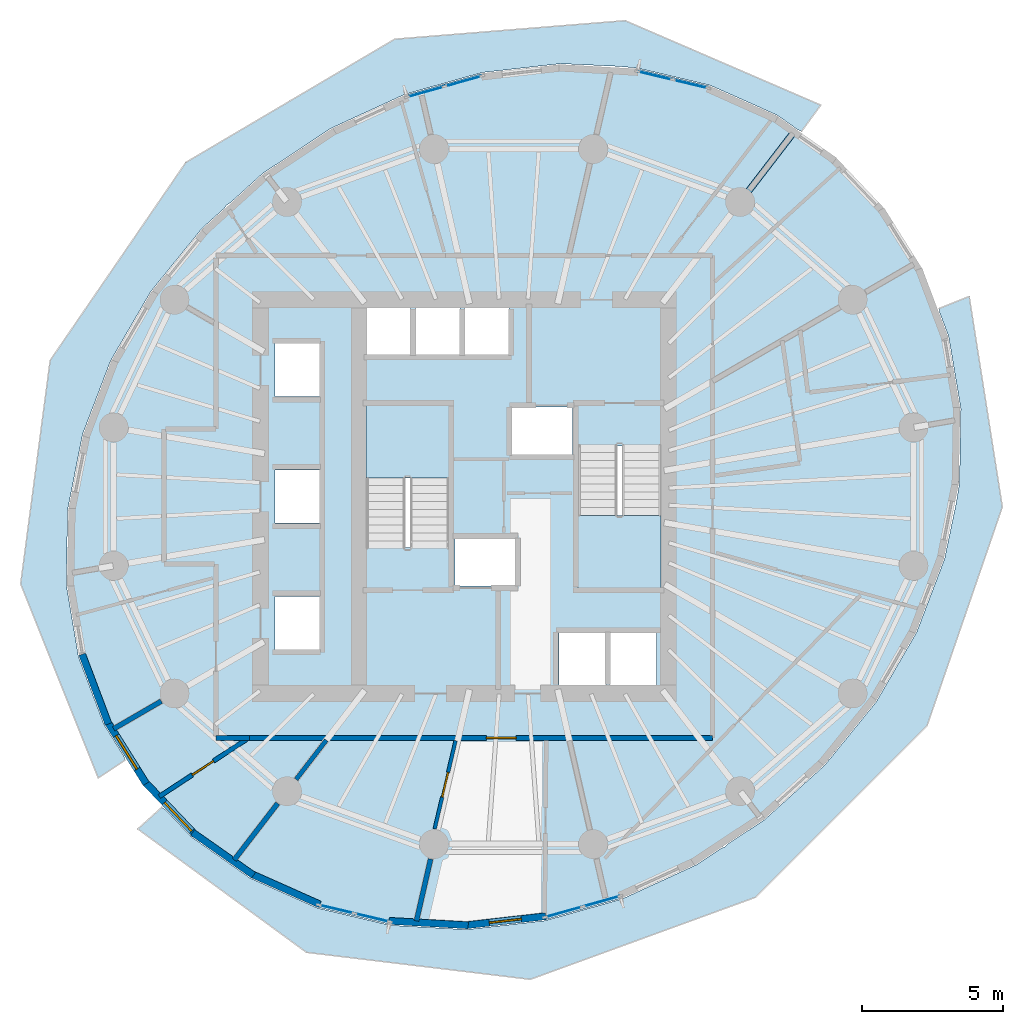
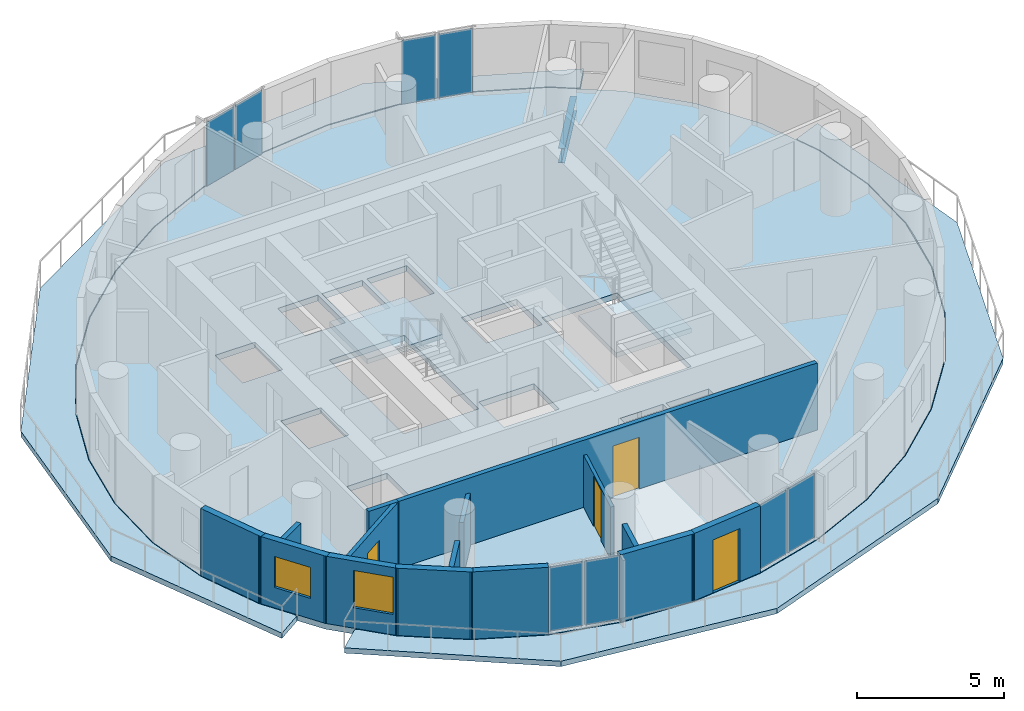
# One storey, part 4 of 13: 15 walls, 8 plates, 5 slabs, 4 doors, 2 windows, 1 beam, 6 openings, 6 elements without a shape of their own.
"""IFC4 building model written with IfcOpenShell, lengths in metres."""

import ifcopenshell
import ifcopenshell.guid

model = None  # the IFC model being written
_history = None  # IfcOwnerHistory: only IFC2X3 demands one
_inside = {}  # id of a spatial element -> (the spatial element, [elements in it])
_under = {}  # id of a project, library or spatial element -> (it, [spatial elements below it])
_declared = {}  # id of a project -> (the project, [libraries it declares])
_typed = {}  # id of a type object -> (the type object, [elements of that type])
_made_of = {}  # id of a material, layer set ... -> (it, [elements and type objects made of it])


def new_model(schema):
    """Start an empty IFC model of exactly this schema.

    Asked for "IFC4X3", IfcOpenShell would pick the latest addendum, in which some entities
    have other attributes; the version numbers below select the first issue.
    IFC2X3 requires an IfcOwnerHistory on every rooted entity: one is made here for all.
    """
    global model, _history
    if schema == "IFC4X3":
        model = ifcopenshell.file(schema_version=(4, 3, 0, 0))
    else:
        model = ifcopenshell.file(schema=schema)
    _inside.clear()
    _under.clear()
    _declared.clear()
    _typed.clear()
    _made_of.clear()
    _history = None
    if model.schema == "IFC2X3":
        org = make("IfcOrganization", Name="unknown")
        user = make(
            "IfcPersonAndOrganization",
            ThePerson=make("IfcPerson", FamilyName="unknown"),
            TheOrganization=org,
        )
        app = make(
            "IfcApplication",
            ApplicationDeveloper=org,
            Version="unknown",
            ApplicationFullName="unknown",
            ApplicationIdentifier="unknown",
        )
        _history = make(
            "IfcOwnerHistory",
            OwningUser=user,
            OwningApplication=app,
            ChangeAction="ADDED",
            CreationDate=0,
        )
    return model


def make(cls, **values):
    """One entity of the class cls with the attributes given. An attribute that is None is left unset."""
    return model.create_entity(
        cls, **{name: value for name, value in values.items() if value is not None}
    )


def rooted(cls, **values):
    """An entity with a GlobalId (a new one), such as an element, a storey or a relation."""
    return make(cls, GlobalId=ifcopenshell.guid.new(), OwnerHistory=_history, **values)


def si_unit(unit_type, name, prefix=None):
    """IfcSIUnit, for example si_unit("LENGTHUNIT", "METRE", prefix="MILLI")."""
    return make("IfcSIUnit", UnitType=unit_type, Prefix=prefix, Name=name)


def assignment(units):
    """IfcUnitAssignment: the units of a project."""
    return None if units is None else make("IfcUnitAssignment", Units=units)


def point(xyz):
    """IfcCartesianPoint."""
    return None if xyz is None else make("IfcCartesianPoint", Coordinates=xyz)


def direction(xyz):
    """IfcDirection."""
    return None if xyz is None else make("IfcDirection", DirectionRatios=xyz)


def frame(location, z_axis=None, x_axis=None):
    """IfcAxis2Placement3D, a coordinate frame: its origin and axes. An axis left out is left unset."""
    return make(
        "IfcAxis2Placement3D",
        Location=point(location),
        Axis=direction(z_axis),
        RefDirection=direction(x_axis),
    )


def frame_2d(location, x_axis=None):
    """IfcAxis2Placement2D, a coordinate frame in the plane: its origin and x axis."""
    return make(
        "IfcAxis2Placement2D", Location=point(location), RefDirection=direction(x_axis)
    )


def origin():
    """The frame at (0, 0, 0) with its axes left unset."""
    return frame((0.0, 0.0, 0.0))


def origin_2d():
    """The frame at (0, 0) in the plane with its x axis left unset."""
    return frame_2d((0.0, 0.0))


def place(relative_to, where):
    """IfcLocalPlacement: puts the frame where relative to a parent placement (None: the world)."""
    return make(
        "IfcLocalPlacement", PlacementRelTo=relative_to, RelativePlacement=where
    )


def context(
    kind, dimensions, precision=None, world=None, true_north=None, identifier=None
):
    """IfcGeometricRepresentationContext, for example the 3D "Model" context."""
    return make(
        "IfcGeometricRepresentationContext",
        ContextIdentifier=identifier,
        ContextType=kind,
        CoordinateSpaceDimension=dimensions,
        Precision=precision,
        WorldCoordinateSystem=world,
        TrueNorth=true_north,
    )


def subcontext(parent, identifier, kind, view, scale=None):
    """IfcGeometricRepresentationSubContext, for example "Body" below "Model"."""
    return make(
        "IfcGeometricRepresentationSubContext",
        ContextIdentifier=identifier,
        ContextType=kind,
        ParentContext=parent,
        TargetScale=scale,
        TargetView=view,
    )


def project(units=None, contexts=None):
    """IfcProject with its units and contexts."""
    return rooted(
        "IfcProject",
        Name="project",
        RepresentationContexts=contexts,
        UnitsInContext=assignment(units),
    )


def spatial(cls, under=None, at=None, **own):
    """A site, building, storey or space (cls), placed at a placement, below another one or the project."""
    s = rooted(cls, ObjectPlacement=at, **own)
    if under is not None:
        _under.setdefault(under.id(), (under, []))[1].append(s)
    return s


def polyline(points):
    """IfcPolyline through the points."""
    return make("IfcPolyline", Points=[point(p) for p in points])


def profile(cls, at=None, kind="AREA", **sizes):
    """A parametric profile (cls). Its sizes go by their IFC names, for example OverallWidth=200.0."""
    return make(cls, ProfileType=kind, Position=at, **sizes)


def rectangle(**sizes):
    """IfcRectangleProfileDef."""
    return profile("IfcRectangleProfileDef", **sizes)


def i_section(**sizes):
    """IfcIShapeProfileDef."""
    return profile("IfcIShapeProfileDef", **sizes)


def outline(outer, holes=None, kind="AREA"):
    """IfcArbitraryClosedProfileDef: a profile drawn as a closed curve; with holes, ...WithVoids."""
    if holes is None:
        return make("IfcArbitraryClosedProfileDef", ProfileType=kind, OuterCurve=outer)
    return make(
        "IfcArbitraryProfileDefWithVoids",
        ProfileType=kind,
        OuterCurve=outer,
        InnerCurves=holes,
    )


def extrude(swept, where, along, depth):
    """IfcExtrudedAreaSolid: the profile swept, set in the frame where, extruded along a direction by depth."""
    return make(
        "IfcExtrudedAreaSolid",
        SweptArea=swept,
        Position=where,
        ExtrudedDirection=direction(along),
        Depth=depth,
    )


def shape(context_of_items, identifier, shape_type, items):
    """IfcShapeRepresentation: the items that make up one representation, for example the "Body"."""
    return make(
        "IfcShapeRepresentation",
        ContextOfItems=context_of_items,
        RepresentationIdentifier=identifier,
        RepresentationType=shape_type,
        Items=items,
    )


def material(Name=None, Category=None):
    """IfcMaterial."""
    return make("IfcMaterial", Name=Name, Category=Category)


def layer(
    of_material, thickness, ventilated=None, Name=None, Category=None, Priority=None
):
    """IfcMaterialLayer: one layer of a wall or slab, of a material (None: an air gap)."""
    return make(
        "IfcMaterialLayer",
        Material=of_material,
        LayerThickness=thickness,
        IsVentilated=ventilated,
        Name=Name,
        Category=Category,
        Priority=Priority,
    )


def layer_set(layers, Name=None):
    """IfcMaterialLayerSet."""
    return make("IfcMaterialLayerSet", MaterialLayers=layers, LayerSetName=Name)


def material_profile(
    of_material, cross_section, Name=None, Category=None, Priority=None
):
    """IfcMaterialProfile: a cross section and its material."""
    return make(
        "IfcMaterialProfile",
        Name=Name,
        Material=of_material,
        Profile=cross_section,
        Priority=Priority,
        Category=Category,
    )


def profile_set(profiles, Name=None, composite=None):
    """IfcMaterialProfileSet."""
    return make(
        "IfcMaterialProfileSet",
        Name=Name,
        MaterialProfiles=profiles,
        CompositeProfile=composite,
    )


def made_of(thing, what):
    """Note that an element or type object is made of a material, layer set ...; save() writes the relation."""
    if what is not None:
        _made_of.setdefault(what.id(), (what, []))[1].append(thing)
    return thing


def type_object(cls, material=None, **own):
    """A type object (cls), such as IfcWallType, which elements share."""
    return made_of(rooted(cls, **own), material)


def element(
    cls,
    number,
    at=None,
    inside=None,
    cuts=None,
    type_object=None,
    material=None,
    context=None,
    identifier="Body",
    shape_type=None,
    held_by="IfcProductDefinitionShape",
    body=None,
    shapes=None,
    **own,
):
    """One element of the class cls, such as IfcWall. Its Tag is "e" and its number.

    at: its placement. inside: the storey or other place that contains it. cuts: it is an
    opening in that element (IfcRelVoidsElement). A single representation is given by context,
    identifier, shape_type and body (its items); several are given by shapes. held_by: the class
    of the entity that holds the representations. save() writes the other relations.
    """
    e = rooted(cls, Tag="e%d" % number, ObjectPlacement=at, **own)
    if body is not None:
        shapes = [shape(context, identifier, shape_type, body)]
    if shapes is not None:
        e.Representation = make(held_by, Representations=shapes)
    if inside is not None:
        _inside.setdefault(inside.id(), (inside, []))[1].append(e)
    if cuts is not None:
        rooted(
            "IfcRelVoidsElement", RelatingBuildingElement=cuts, RelatedOpeningElement=e
        )
    if type_object is not None:
        _typed.setdefault(type_object.id(), (type_object, []))[1].append(e)
    return made_of(e, material)


def fill(opening, filler):
    """IfcRelFillsElement: the door or window that sits in an opening."""
    return rooted(
        "IfcRelFillsElement",
        RelatingOpeningElement=opening,
        RelatedBuildingElement=filler,
    )


def aggregate(whole, parts):
    """IfcRelAggregates: a whole, such as a stair, and the parts it consists of."""
    return rooted("IfcRelAggregates", RelatingObject=whole, RelatedObjects=parts)


def save(model, path):
    """Write the relations noted so far, then the file.

    IfcRelAggregates (storeys below a building ...), IfcRelContainedInSpatialStructure (elements
    in a storey), IfcRelDefinesByType, IfcRelAssociatesMaterial and IfcRelDeclares: one each for
    every whole, place, type object, material and project.
    """
    for whole, parts in _under.values():
        aggregate(whole, parts)
    for where, things in _inside.values():
        rooted(
            "IfcRelContainedInSpatialStructure",
            RelatedElements=things,
            RelatingStructure=where,
        )
    for kind, things in _typed.values():
        rooted("IfcRelDefinesByType", RelatedObjects=things, RelatingType=kind)
    for what, things in _made_of.values():
        rooted("IfcRelAssociatesMaterial", RelatedObjects=things, RelatingMaterial=what)
    for by, libraries in _declared.values():
        rooted("IfcRelDeclares", RelatingContext=by, RelatedDefinitions=libraries)
    model.write(path)


model = new_model("IFC4")

# Units and contexts
model_context = context("Model", 3, precision=1e-05, world=origin(), true_north=direction((0.0, 1.0)))
body_context = subcontext(model_context, "Body", "Model", "MODEL_VIEW")
ifc_project = project(units=[si_unit("LENGTHUNIT", "METRE"), si_unit("AREAUNIT", "SQUARE_METRE"), si_unit("VOLUMEUNIT", "CUBIC_METRE"), si_unit("PLANEANGLEUNIT", "RADIAN"), si_unit("MASSUNIT", "GRAM", prefix="KILO")], contexts=[model_context])

# Site, building, storey
site_placement = place(None, origin())
site = spatial("IfcSite", under=ifc_project, at=site_placement, CompositionType="ELEMENT")
building_placement = place(site_placement, origin())
building = spatial("IfcBuilding", under=site, at=building_placement, Name="Veldorim Arch Residences", CompositionType="ELEMENT")
storey_placement = place(building_placement, frame((0.0, 0.0, 155.360107421875)))
storey = spatial("IfcBuildingStorey", under=building, at=storey_placement, Name="L46", CompositionType="ELEMENT", Elevation=155.360107421875)

# Beam
ifc_material_1 = material(Name="Steel S355", Category="steel")
ifc_material_profile = material_profile(ifc_material_1, i_section(OverallWidth=0.22900390625, OverallDepth=0.6123046875, WebThickness=0.011962890625, FlangeThickness=0.01953125, at=origin_2d()), Name="UB610x229x125")
ifc_profile_set = profile_set([ifc_material_profile], Name="Steel S355")
beam_type = type_object("IfcBeamType", Name="Structural Steel Beam UB610x229x125", PredefinedType="BEAM", material=ifc_profile_set)
beam_placement = place(storey_placement, frame((40.068115234375, 34.492431640625, -0.546142578125), z_axis=(0.609575446364, 0.792728058789, 0.0), x_axis=(-0.792728058789, 0.609575446364, 0.0)))
element("IfcBeam", 1, at=beam_placement, inside=storey, type_object=beam_type, Name="L46 radial edge cantilever girder 03", PredefinedType="BEAM", context=body_context, shape_type="SweptSolid", body=[
    extrude(i_section(OverallWidth=0.22900390625, OverallDepth=0.6123046875, WebThickness=0.011962890625, FlangeThickness=0.01953125, at=origin_2d()), origin(), (0.0, 0.0, 1.0), 3.13916015625),
])

# Slabs
ifc_material_2 = material(Name="Concrete C40/50", Category="concrete")
ifc_layer_1 = layer(ifc_material_2, 0.219970703125, Name="Planted Crescent Cantilever Balcony Slab 220")
ifc_layer_set_1 = layer_set([ifc_layer_1], Name="Concrete C40/50")
slab_type_1 = type_object("IfcSlabType", Name="Planted Crescent Cantilever Balcony Slab 220", PredefinedType="FLOOR", material=ifc_layer_set_1)
slab_1_placement = place(storey_placement, frame((0.0, 0.0, -0.22021484375)))
element("IfcSlab", 2, at=slab_1_placement, inside=storey, type_object=slab_type_1, Name="L46 planted crescent balcony slab A", PredefinedType="FLOOR", context=body_context, shape_type="SweptSolid", body=[
    extrude(outline(polyline([(42.118408203125, 37.03759765625), (41.368408203125, 37.564208984375), (38.986083984375, 38.62451171875), (36.3916015625, 39.240478515625), (35.6923828125, 39.2998046875), (33.663818359375, 39.393310546875), (30.885986328125, 39.078369140625), (28.1416015625, 38.305419921875), (25.514892578125, 37.097900390625), (23.085205078125, 35.492919921875), (21.927001953125, 34.444580078125), (21.797119140625, 34.365478515625), (21.720703125, 34.2578125), (20.92626953125, 33.53857421875), (19.103515625, 31.294677734375), (17.672607421875, 28.8291015625), (16.676513671875, 26.216552734375), (16.146240234375, 23.53662109375), (16.09765625, 20.870361328125), (16.5322265625, 18.299072265625), (17.43701171875, 15.90087890625), (18.141845703125, 14.775390625), (18.187744140625, 14.6328125), (17.22998046875, 13.996337890625), (14.472412109375, 20.894775390625), (15.5224609375, 28.845703125), (20.346923828125, 35.884521484375), (27.773193359375, 40.266357421875), (35.96728515625, 40.92431640625), (42.922607421875, 37.92138671875), (42.242431640625, 36.993896484375), (42.118408203125, 37.03759765625)])), origin(), (0.0, 0.0, 1.0), 0.22021484375),
])
slab_2_placement = place(storey_placement, frame((0.0, 0.0, -0.22021484375)))
element("IfcSlab", 3, at=slab_2_placement, inside=storey, type_object=slab_type_1, Name="L46 planted crescent balcony slab B", PredefinedType="FLOOR", context=body_context, shape_type="SweptSolid", body=[
    extrude(outline(polyline([(19.618896484375, 12.871337890625), (20.53369140625, 11.90869140625), (22.631591796875, 10.435791015625), (25.013916015625, 9.37548828125), (27.6083984375, 8.759521484375), (30.336181640625, 8.606689453125), (33.114013671875, 8.921630859375), (35.8583984375, 9.694580078125), (38.485107421875, 10.902099609375), (39.379150390625, 11.49267578125), (39.50244140625, 11.539794921875), (39.611328125, 11.64599609375), (40.914794921875, 12.507080078125), (43.07373046875, 14.46142578125), (44.896484375, 16.705322265625), (46.327392578125, 19.1708984375), (47.323486328125, 21.783447265625), (47.737548828125, 23.771484375), (47.853759765625, 24.46337890625), (47.90234375, 27.129638671875), (47.4677734375, 29.700927734375), (47.144287109375, 30.55810546875), (47.1328125, 30.689208984375), (48.2001953125, 31.1171875), (49.37939453125, 23.6337890625), (46.7041015625, 15.860595703125), (40.613037109375, 9.757568359375), (32.595703125, 6.835205078125), (24.63330078125, 7.79541015625), (18.637451171875, 12.181640625), (19.491943359375, 12.951416015625), (19.618896484375, 12.871337890625)])), origin(), (0.0, 0.0, 1.0), 0.22021484375),
])

# Stair, slab
ifc_material_3 = material(Name="Concrete C40/50", Category="concrete")
stair_type = type_object("IfcStairType", Name="Reinforced Concrete Dogleg Exit Staircase", PredefinedType="HALF_TURN_STAIR", material=ifc_material_3)
stair_1_placement = place(storey_placement, origin())
stair_1 = element("IfcStair", 4, at=stair_1_placement, inside=storey, type_object=stair_type, Name="L46 Exit Staircase ST-1", PredefinedType="HALF_TURN_STAIR")
ifc_material_4 = material(Name="Concrete C40/50", Category="concrete")
ifc_layer_2 = layer(ifc_material_4, 0.199951171875, Name="Reinforced Concrete Stair Landing 200")
ifc_layer_set_2 = layer_set([ifc_layer_2], Name="Concrete C40/50")
slab_type_2 = type_object("IfcSlabType", Name="Reinforced Concrete Stair Landing 200", PredefinedType="LANDING", material=ifc_layer_set_2)
slab_3_placement = place(storey_placement, frame((0.0, 0.0, 1.39990234375)))
slab_3 = element("IfcSlab", 5, at=slab_3_placement, type_object=slab_type_2, Name="ST-1 landing 1", PredefinedType="LANDING", context=body_context, shape_type="SweptSolid", body=[
    extrude(outline(polyline([(29.7099609375, 24.669921875), (29.7099609375, 27.25), (26.75, 27.25), (26.75, 24.669921875), (29.7099609375, 24.669921875)])), origin(), (0.0, 0.0, 1.0), 0.199951171875),
])
aggregate(stair_1, [slab_3])

stair_2_placement = place(storey_placement, origin())
stair_2 = element("IfcStair", 6, at=stair_2_placement, inside=storey, type_object=stair_type, Name="L46 Exit Staircase ST-2", PredefinedType="HALF_TURN_STAIR")
slab_4_placement = place(storey_placement, frame((0.0, 0.0, 1.39990234375)))
slab_4 = element("IfcSlab", 7, at=slab_4_placement, type_object=slab_type_2, Name="ST-2 landing 1", PredefinedType="LANDING", context=body_context, shape_type="SweptSolid", body=[
    extrude(outline(polyline([(34.2900390625, 23.330078125), (34.2900390625, 20.75), (37.25, 20.75), (37.25, 23.330078125), (34.2900390625, 23.330078125)])), origin(), (0.0, 0.0, 1.0), 0.199951171875),
])
aggregate(stair_2, [slab_4])

# Slab
ifc_material_5 = material(Name="Concrete C40/50", Category="concrete")
ifc_layer_3 = layer(ifc_material_5, 0.239990234375, Name="Typical Residential Floor Slab 240")
ifc_layer_set_3 = layer_set([ifc_layer_3], Name="Concrete C40/50")
slab_type_3 = type_object("IfcSlabType", Name="Typical Residential Floor Slab 240", PredefinedType="FLOOR", material=ifc_layer_set_3)
slab_5_placement = place(storey_placement, frame((0.0, 0.0, -0.239990234375)))
element("IfcSlab", 8, at=slab_5_placement, inside=storey, type_object=slab_type_3, Name="L46 tower structural floor slab", PredefinedType="FLOOR", context=body_context, shape_type="SweptSolid", body=[
    extrude(outline(polyline([(45.195556640625, 34.235595703125), (43.44970703125, 36.072265625), (41.35595703125, 37.542236328125), (38.97802734375, 38.600830078125), (36.387939453125, 39.215576171875), (33.66455078125, 39.3681640625), (30.890625, 39.0537109375), (28.150390625, 38.281982421875), (25.527099609375, 37.076171875), (23.1005859375, 35.47314453125), (20.9443359375, 33.521484375), (19.1240234375, 31.280517578125), (17.695068359375, 28.818115234375), (16.70068359375, 26.209716796875), (16.171142578125, 23.533935546875), (16.12255859375, 20.872314453125), (16.556396484375, 18.3056640625), (17.45947265625, 15.912109375), (18.804443359375, 13.764404296875), (20.55029296875, 11.927734375), (22.64404296875, 10.457763671875), (25.02197265625, 9.399169921875), (27.612060546875, 8.784423828125), (30.33544921875, 8.6318359375), (33.109375, 8.9462890625), (35.849609375, 9.718017578125), (38.472900390625, 10.923828125), (40.8994140625, 12.52685546875), (43.0556640625, 14.478515625), (44.8759765625, 16.719482421875), (46.304931640625, 19.181884765625), (47.29931640625, 21.790283203125), (47.828857421875, 24.466064453125), (47.87744140625, 27.127685546875), (47.443603515625, 29.6943359375), (46.54052734375, 32.087890625), (45.195556640625, 34.235595703125)]), holes=[polyline([(23.510009765625, 18.56005859375), (23.510009765625, 20.43994140625), (25.090087890625, 20.43994140625), (25.090087890625, 18.56005859375), (23.510009765625, 18.56005859375)]), polyline([(23.510009765625, 24.93994140625), (25.090087890625, 24.93994140625), (25.090087890625, 23.06005859375), (23.510009765625, 23.06005859375), (23.510009765625, 24.93994140625)]), polyline([(26.75, 27.25), (29.7099609375, 27.25), (29.7099609375, 22.195068359375), (26.75, 22.195068359375), (26.75, 27.25)]), polyline([(23.510009765625, 27.56005859375), (23.510009765625, 29.43994140625), (25.090087890625, 29.43994140625), (25.090087890625, 27.56005859375), (23.510009765625, 27.56005859375)]), polyline([(26.760009765625, 30.7900390625), (28.340087890625, 30.7900390625), (28.340087890625, 28.909912109375), (26.760009765625, 28.909912109375), (26.760009765625, 30.7900390625)]), polyline([(28.510009765625, 30.7900390625), (30.090087890625, 30.7900390625), (30.090087890625, 28.909912109375), (28.510009765625, 28.909912109375), (28.510009765625, 30.7900390625)]), polyline([(33.610107421875, 17.2099609375), (33.610107421875, 19.2900390625), (35.2900390625, 19.2900390625), (35.2900390625, 17.2099609375), (33.610107421875, 17.2099609375)]), polyline([(35.409912109375, 19.2900390625), (37.090087890625, 19.2900390625), (37.090087890625, 17.2099609375), (35.409912109375, 17.2099609375), (35.409912109375, 19.2900390625)]), polyline([(29.909912109375, 22.544921875), (32.090087890625, 22.544921875), (32.090087890625, 20.81494140625), (29.909912109375, 20.81494140625), (29.909912109375, 22.544921875)]), polyline([(34.2900390625, 20.75), (34.2900390625, 25.804931640625), (37.25, 25.804931640625), (37.25, 20.75), (34.2900390625, 20.75)]), polyline([(31.909912109375, 27.18505859375), (34.090087890625, 27.18505859375), (34.090087890625, 25.455078125), (31.909912109375, 25.455078125), (31.909912109375, 27.18505859375)]), polyline([(30.260009765625, 30.7900390625), (31.840087890625, 30.7900390625), (31.840087890625, 28.909912109375), (30.260009765625, 28.909912109375), (30.260009765625, 30.7900390625)])]), origin(), (0.0, 0.0, 1.0), 0.239990234375),
])

# Curtain wall, plates
ifc_material_6 = material(Name="Aluminium", Category="aluminium")
curtain_wall_type = type_object("IfcCurtainWallType", Name="Zone 3 High-Wind Unitised Curtain Wall", PredefinedType="NOTDEFINED", material=ifc_material_6)
curtain_wall_1_placement = place(storey_placement, origin())
curtain_wall_1 = element("IfcCurtainWall", 9, at=curtain_wall_1_placement, inside=storey, type_object=curtain_wall_type, Name="L46 unitised curtain wall bay 04", PredefinedType="NOTDEFINED")
ifc_material_7 = material(Name="Laminated Low-E Glass", Category="glass")
ifc_layer_4 = layer(ifc_material_7, 0.028076171875, Name="Zone 3 High-Wind Unitised Curtain Wall Glazing Panel 28")
ifc_layer_set_4 = layer_set([ifc_layer_4], Name="Laminated Low-E Glass")
plate_type = type_object("IfcPlateType", Name="Zone 3 High-Wind Unitised Curtain Wall Glazing Panel 28", PredefinedType="CURTAIN_PANEL", material=ifc_layer_set_4)
plate_1_placement = place(storey_placement, frame((37.03173828125, 38.97021484375, 0.06982421875), z_axis=(0.0, 0.0, 1.0), x_axis=(0.972963992002, -0.230956858022, 0.0)))
plate_1 = element("IfcPlate", 10, at=plate_1_placement, type_object=plate_type, Name="CW-Z3 panel 1.1", PredefinedType="CURTAIN_PANEL", context=body_context, shape_type="SweptSolid", body=[
    extrude(rectangle(XDim=1.22607421875, YDim=0.028076171875, at=origin_2d()), origin(), (0.0, 0.0, 1.0), 2.659912109375),
])
plate_2_placement = place(storey_placement, frame((38.292724609375, 38.6708984375, 0.06982421875), z_axis=(0.0, 0.0, 1.0), x_axis=(0.972963992002, -0.230956858022, 0.0)))
plate_2 = element("IfcPlate", 11, at=plate_2_placement, type_object=plate_type, Name="CW-Z3 panel 2.1", PredefinedType="CURTAIN_PANEL", context=body_context, shape_type="SweptSolid", body=[
    extrude(rectangle(XDim=1.22607421875, YDim=0.028076171875, at=origin_2d()), origin(), (0.0, 0.0, 1.0), 2.659912109375),
])
aggregate(curtain_wall_1, [plate_1, plate_2])

curtain_wall_2_placement = place(storey_placement, origin())
curtain_wall_2 = element("IfcCurtainWall", 12, at=curtain_wall_2_placement, inside=storey, type_object=curtain_wall_type, Name="L46 unitised curtain wall bay 07", PredefinedType="NOTDEFINED")
plate_3_placement = place(storey_placement, frame((28.876708984375, 38.39306640625, 0.06982421875), z_axis=(0.0, 0.0, 1.0), x_axis=(0.962551028545, 0.271100567037, 0.0)))
plate_3 = element("IfcPlate", 13, at=plate_3_placement, type_object=plate_type, Name="CW-Z3 panel 1.1", PredefinedType="CURTAIN_PANEL", context=body_context, shape_type="SweptSolid", body=[
    extrude(rectangle(XDim=1.318359375, YDim=0.028076171875, at=origin_2d()), origin(), (0.0, 0.0, 1.0), 2.659912109375),
])
plate_4_placement = place(storey_placement, frame((30.213134765625, 38.769287109375, 0.06982421875), z_axis=(0.0, 0.0, 1.0), x_axis=(0.962551028545, 0.271100567037, 0.0)))
plate_4 = element("IfcPlate", 14, at=plate_4_placement, type_object=plate_type, Name="CW-Z3 panel 2.1", PredefinedType="CURTAIN_PANEL", context=body_context, shape_type="SweptSolid", body=[
    extrude(rectangle(XDim=1.318359375, YDim=0.028076171875, at=origin_2d()), origin(), (0.0, 0.0, 1.0), 2.659912109375),
])
aggregate(curtain_wall_2, [plate_3, plate_4])

curtain_wall_3_placement = place(storey_placement, origin())
curtain_wall_3 = element("IfcCurtainWall", 15, at=curtain_wall_3_placement, inside=storey, type_object=curtain_wall_type, Name="L46 unitised curtain wall bay 22", PredefinedType="NOTDEFINED")
plate_5_placement = place(storey_placement, frame((26.96826171875, 9.02978515625, 0.06982421875), z_axis=(0.0, 0.0, 1.0), x_axis=(-0.972963992002, 0.230956858022, 0.0)))
plate_5 = element("IfcPlate", 16, at=plate_5_placement, type_object=plate_type, Name="CW-Z3 panel 1.1", PredefinedType="CURTAIN_PANEL", context=body_context, shape_type="SweptSolid", body=[
    extrude(rectangle(XDim=1.22607421875, YDim=0.028076171875, at=origin_2d()), origin(), (0.0, 0.0, 1.0), 2.659912109375),
])
plate_6_placement = place(storey_placement, frame((25.707275390625, 9.3291015625, 0.06982421875), z_axis=(0.0, 0.0, 1.0), x_axis=(-0.972963992002, 0.230956858022, 0.0)))
plate_6 = element("IfcPlate", 17, at=plate_6_placement, type_object=plate_type, Name="CW-Z3 panel 2.1", PredefinedType="CURTAIN_PANEL", context=body_context, shape_type="SweptSolid", body=[
    extrude(rectangle(XDim=1.22607421875, YDim=0.028076171875, at=origin_2d()), origin(), (0.0, 0.0, 1.0), 2.659912109375),
])
aggregate(curtain_wall_3, [plate_5, plate_6])

curtain_wall_4_placement = place(storey_placement, origin())
curtain_wall_4 = element("IfcCurtainWall", 18, at=curtain_wall_4_placement, inside=storey, type_object=curtain_wall_type, Name="L46 unitised curtain wall bay 25", PredefinedType="NOTDEFINED")
plate_7_placement = place(storey_placement, frame((35.123291015625, 9.60693359375, 0.06982421875), z_axis=(0.0, 0.0, 1.0), x_axis=(-0.962551028545, -0.271100567037, 0.0)))
plate_7 = element("IfcPlate", 19, at=plate_7_placement, type_object=plate_type, Name="CW-Z3 panel 1.1", PredefinedType="CURTAIN_PANEL", context=body_context, shape_type="SweptSolid", body=[
    extrude(rectangle(XDim=1.318359375, YDim=0.028076171875, at=origin_2d()), origin(), (0.0, 0.0, 1.0), 2.659912109375),
])
plate_8_placement = place(storey_placement, frame((33.786865234375, 9.230712890625, 0.06982421875), z_axis=(0.0, 0.0, 1.0), x_axis=(-0.962551028545, -0.271100567037, 0.0)))
plate_8 = element("IfcPlate", 20, at=plate_8_placement, type_object=plate_type, Name="CW-Z3 panel 2.1", PredefinedType="CURTAIN_PANEL", context=body_context, shape_type="SweptSolid", body=[
    extrude(rectangle(XDim=1.318359375, YDim=0.028076171875, at=origin_2d()), origin(), (0.0, 0.0, 1.0), 2.659912109375),
])
aggregate(curtain_wall_4, [plate_7, plate_8])

# Wall, opening, door
ifc_material_8 = material(Name="Acoustic Gypsum Board", Category="gypsum")
ifc_layer_5 = layer(ifc_material_8, 0.125, Name="Acoustic Stud Room Partition Wall 125")
ifc_layer_set_5 = layer_set([ifc_layer_5], Name="Acoustic Gypsum Board")
wall_type_1 = type_object("IfcWallType", Name="Acoustic Stud Room Partition Wall 125", PredefinedType="PARTITIONING", material=ifc_layer_set_5)
wall_1_placement = place(storey_placement, frame((29.195556640625, 12.18701171875, 0.0), z_axis=(0.0, 0.0, 1.0), x_axis=(0.230968453673, 0.972961239417, 0.0)))
wall_1 = element("IfcWall", 21, at=wall_1_placement, inside=storey, type_object=wall_type_1, Name="L46 interior wall WL-RES-L46-012", PredefinedType="PARTITIONING", context=body_context, shape_type="SweptSolid", body=[
    extrude(rectangle(XDim=3.222900390625, YDim=0.125, at=frame_2d((1.611328125, 0.0))), origin(), (0.0, 0.0, 1.0), 2.17578125),
])
opening_1_placement = place(wall_1_placement, frame((1.161376953125, 0.0, 0.0)))
opening_1 = element("IfcOpeningElement", 22, at=opening_1_placement, cuts=wall_1, Name="Opening DR-INT", PredefinedType="OPENING", context=body_context, shape_type="SweptSolid", body=[
    extrude(rectangle(XDim=0.89990234375, YDim=2.10009765625, at=frame_2d((0.449951171875, 1.050048828125))), frame((0.0, 0.072509765625, 0.0), z_axis=(0.0, -1.0, 0.0), x_axis=(1.0, 0.0, 0.0)), (0.0, 0.0, 1.0), 0.14501953125),
])
ifc_material_9 = material(Name="Engineered Timber", Category="wood")
door_type_1 = type_object("IfcDoorType", Name="Apartment Internal Room Timber Door 900x2100", OperationType="SINGLE_SWING_LEFT", PredefinedType="DOOR", material=ifc_material_9)
door_1_placement = place(opening_1_placement, origin())
door_1 = element("IfcDoor", 23, at=door_1_placement, inside=storey, type_object=door_type_1, Name="L46 interior door DR-RES-L46-003", OperationType="SINGLE_SWING_LEFT", OverallHeight=2.10009765625, OverallWidth=0.89990234375, PredefinedType="DOOR", context=body_context, shape_type="SweptSolid", body=[
    extrude(rectangle(XDim=0.89990234375, YDim=2.10009765625, at=frame_2d((0.449951171875, 1.050048828125))), frame((0.0, 0.02490234375, 0.0), z_axis=(0.0, -1.0, 0.0), x_axis=(1.0, 0.0, 0.0)), (0.0, 0.0, 1.0), 0.050048828125),
])
fill(opening_1, door_1)

# Walls
ifc_material_10 = material(Name="Lightweight Masonry Block & Gypsum", Category="masonry")
ifc_layer_6 = layer(ifc_material_10, 0.179931640625, Name="Compartment & Corridor Fire-Rated Party Wall 180")
ifc_layer_set_6 = layer_set([ifc_layer_6], Name="Lightweight Masonry Block & Gypsum")
wall_type_2 = type_object("IfcWallType", Name="Compartment & Corridor Fire-Rated Party Wall 180", PredefinedType="PARTITIONING", material=ifc_layer_set_6)
wall_2_placement = place(storey_placement, frame((19.472412109375, 16.72607421875, 0.0), z_axis=(0.0, 0.0, 1.0), x_axis=(-0.864794183852, -0.502126497584, 0.0)))
element("IfcWall", 24, at=wall_2_placement, inside=storey, type_object=wall_type_2, Name="L46 interior wall WL-PIER-L46-10", PredefinedType="PARTITIONING", context=body_context, shape_type="SweptSolid", body=[
    extrude(rectangle(XDim=1.958984375, YDim=0.179931640625, at=frame_2d((0.9794921875, 0.0))), origin(), (0.0, 0.0, 1.0), 2.17578125),
])
wall_3_placement = place(storey_placement, frame((23.612060546875, 13.091552734375, 0.0), z_axis=(0.0, 0.0, 1.0), x_axis=(-0.609529171404, -0.79276364019, 0.0)))
element("IfcWall", 25, at=wall_3_placement, inside=storey, type_object=wall_type_2, Name="L46 interior wall WL-PIER-L46-11", PredefinedType="PARTITIONING", context=body_context, shape_type="SweptSolid", body=[
    extrude(rectangle(XDim=2.5341796875, YDim=0.179931640625, at=frame_2d((1.26708984375, 0.0))), origin(), (0.0, 0.0, 1.0), 2.17578125),
])
wall_4_placement = place(storey_placement, frame((29.049560546875, 11.11083984375, 0.0), z_axis=(0.0, 0.0, 1.0), x_axis=(-0.223104026265, -0.974794641688, 0.0)))
element("IfcWall", 26, at=wall_4_placement, inside=storey, type_object=wall_type_2, Name="L46 interior wall WL-PIER-L46-12", PredefinedType="PARTITIONING", context=body_context, shape_type="SweptSolid", body=[
    extrude(rectangle(XDim=2.25537109375, YDim=0.179931640625, at=frame_2d((1.127685546875, 0.0))), origin(), (0.0, 0.0, 1.0), 2.17578125),
])

# Wall, opening, door
wall_5_placement = place(storey_placement, frame((39.080078125, 15.419921875, 0.0), z_axis=(0.0, 0.0, 1.0), x_axis=(-1.0, 0.0, 0.0)))
wall_5 = element("IfcWall", 27, at=wall_5_placement, inside=storey, type_object=wall_type_2, Name="L46 interior wall WL-RES-L46-001", PredefinedType="PARTITIONING", context=body_context, shape_type="SweptSolid", body=[
    extrude(rectangle(XDim=16.531005859375, YDim=0.179931640625, at=frame_2d((8.265625, 0.0))), origin(), (0.0, 0.0, 1.0), 2.794921875),
])
opening_2_placement = place(wall_5_placement, frame((6.993896484375, 0.0, 0.0)))
opening_2 = element("IfcOpeningElement", 28, at=opening_2_placement, cuts=wall_5, Name="Opening DR-FLT", PredefinedType="OPENING", context=body_context, shape_type="SweptSolid", body=[
    extrude(rectangle(XDim=1.050048828125, YDim=2.14990234375, at=frame_2d((0.52490234375, 1.074951171875))), frame((0.0, 0.099853515625, 0.0), z_axis=(0.0, -1.0, 0.0), x_axis=(1.0, 0.0, 0.0)), (0.0, 0.0, 1.0), 0.199951171875),
])
ifc_material_11 = material(Name="Fire-Rated Timber", Category="wood")
door_type_2 = type_object("IfcDoorType", Name="Apartment Entrance Solid-Core Fire Door 1050x2150", OperationType="SINGLE_SWING_LEFT", PredefinedType="DOOR", material=ifc_material_11)
door_2_placement = place(opening_2_placement, origin())
door_2 = element("IfcDoor", 29, at=door_2_placement, inside=storey, type_object=door_type_2, Name="L46 interior door DR-RES-L46-001", OperationType="SINGLE_SWING_LEFT", OverallHeight=2.14990234375, OverallWidth=1.050048828125, PredefinedType="DOOR", context=body_context, shape_type="SweptSolid", body=[
    extrude(rectangle(XDim=1.050048828125, YDim=2.14990234375, at=frame_2d((0.52490234375, 1.074951171875))), frame((0.0, 0.02490234375, 0.0), z_axis=(0.0, -1.0, 0.0), x_axis=(1.0, 0.0, 0.0)), (0.0, 0.0, 1.0), 0.050048828125),
])
fill(opening_2, door_2)

# Walls
wall_6_placement = place(storey_placement, frame((22.605712890625, 15.419921875, 0.0), z_axis=(0.0, 0.0, 1.0), x_axis=(-1.0, 0.0, 0.0)))
element("IfcWall", 30, at=wall_6_placement, inside=storey, type_object=wall_type_2, Name="L46 interior wall WL-RES-L46-006", PredefinedType="PARTITIONING", context=body_context, shape_type="SweptSolid", body=[
    extrude(rectangle(XDim=1.185791015625, YDim=0.179931640625, at=frame_2d((0.5927734375, 0.0))), origin(), (0.0, 0.0, 1.0), 2.794921875),
])
ifc_material_12 = material(Name="Precast concrete C40/50", Category="concrete")
ifc_layer_7 = layer(ifc_material_12, 0.25, Name="Tower Terracotta Spandrel & Pier Wall 250")
ifc_layer_set_7 = layer_set([ifc_layer_7], Name="Precast concrete C40/50")
wall_type_3 = type_object("IfcWallType", Name="Tower Terracotta Spandrel & Pier Wall 250", PredefinedType="SOLIDWALL", material=ifc_layer_set_7)
wall_7_placement = place(storey_placement, frame((17.59228515625, 15.914306640625, 0.0), z_axis=(0.0, 0.0, 1.0), x_axis=(-0.353022229402, 0.93561493444, 0.0)))
element("IfcWall", 31, at=wall_7_placement, inside=storey, type_object=wall_type_3, Name="L46 terracotta facade wall 17", PredefinedType="SOLIDWALL", context=body_context, shape_type="SweptSolid", body=[
    extrude(rectangle(XDim=2.64794921875, YDim=0.25, at=frame_2d((1.323974609375, 0.0))), origin(), (0.0, 0.0, 1.0), 2.7998046875),
])

# Wall, opening, window
wall_8_placement = place(storey_placement, frame((18.93408203125, 13.792724609375, 0.0), z_axis=(0.0, 0.0, 1.0), x_axis=(-0.530726374543, 0.847543223302, 0.0)))
wall_8 = element("IfcWall", 32, at=wall_8_placement, inside=storey, type_object=wall_type_3, Name="L46 terracotta facade wall 18", PredefinedType="SOLIDWALL", context=body_context, shape_type="SweptSolid", body=[
    extrude(rectangle(XDim=2.6240234375, YDim=0.25, at=frame_2d((1.31201171875, 0.0))), origin(), (0.0, 0.0, 1.0), 2.7998046875),
])
opening_3_placement = place(wall_8_placement, frame((0.612060546875, 0.0, 0.85009765625)))
opening_3 = element("IfcOpeningElement", 33, at=opening_3_placement, cuts=wall_8, Name="Opening WN-02", PredefinedType="OPENING", context=body_context, shape_type="SweptSolid", body=[
    extrude(rectangle(XDim=1.39990234375, YDim=1.2900390625, at=frame_2d((0.699951171875, 0.64501953125))), frame((0.0, 0.135009765625, 0.0), z_axis=(0.0, -1.0, 0.0), x_axis=(1.0, 0.0, 0.0)), (0.0, 0.0, 1.0), 0.27001953125),
])
ifc_material_13 = material(Name="Laminated Low-E Glass", Category="glass")
window_type = type_object("IfcWindowType", Name="Residential Casement Window 1400x1550", PartitioningType="SINGLE_PANEL", PredefinedType="WINDOW", material=ifc_material_13)
window_1_placement = place(opening_3_placement, origin())
window_1 = element("IfcWindow", 34, at=window_1_placement, inside=storey, type_object=window_type, Name="L46 solar-control facade window 18", OverallHeight=1.2900390625, OverallWidth=1.39990234375, PartitioningType="SINGLE_PANEL", PredefinedType="WINDOW", context=body_context, shape_type="SweptSolid", body=[
    extrude(rectangle(XDim=1.39990234375, YDim=1.2900390625, at=frame_2d((0.699951171875, 0.64501953125))), frame((0.0, 0.030029296875, 0.0), z_axis=(0.0, -1.0, 0.0), x_axis=(1.0, 0.0, 0.0)), (0.0, 0.0, 1.0), 0.06005859375),
])
fill(opening_3, window_1)

wall_9_placement = place(storey_placement, frame((20.671875, 11.981201171875, 0.0), z_axis=(0.0, 0.0, 1.0), x_axis=(-0.688923042016, 0.724834492957, 0.0)))
wall_9 = element("IfcWall", 35, at=wall_9_placement, inside=storey, type_object=wall_type_3, Name="L46 terracotta facade wall 19", PredefinedType="SOLIDWALL", context=body_context, shape_type="SweptSolid", body=[
    extrude(rectangle(XDim=2.624267578125, YDim=0.25, at=frame_2d((1.31201171875, 0.0))), origin(), (0.0, 0.0, 1.0), 2.7998046875),
])
opening_4_placement = place(wall_9_placement, frame((0.175048828125, 0.0, 0.85009765625)))
opening_4 = element("IfcOpeningElement", 36, at=opening_4_placement, cuts=wall_9, Name="Opening WN-02", PredefinedType="OPENING", context=body_context, shape_type="SweptSolid", body=[
    extrude(rectangle(XDim=1.39990234375, YDim=1.550048828125, at=frame_2d((0.699951171875, 0.77490234375))), frame((0.0, 0.135009765625, 0.0), z_axis=(0.0, -1.0, 0.0), x_axis=(1.0, 0.0, 0.0)), (0.0, 0.0, 1.0), 0.27001953125),
])
window_2_placement = place(opening_4_placement, origin())
window_2 = element("IfcWindow", 37, at=window_2_placement, inside=storey, type_object=window_type, Name="L46 solar-control facade window 19", OverallHeight=1.550048828125, OverallWidth=1.39990234375, PartitioningType="SINGLE_PANEL", PredefinedType="WINDOW", context=body_context, shape_type="SweptSolid", body=[
    extrude(rectangle(XDim=1.39990234375, YDim=1.550048828125, at=frame_2d((0.699951171875, 0.77490234375))), frame((0.0, 0.030029296875, 0.0), z_axis=(0.0, -1.0, 0.0), x_axis=(1.0, 0.0, 0.0)), (0.0, 0.0, 1.0), 0.06005859375),
])
fill(opening_4, window_2)

# Walls
wall_10_placement = place(storey_placement, frame((22.752685546875, 10.5341796875, 0.0), z_axis=(0.0, 0.0, 1.0), x_axis=(-0.818434239786, 0.574600204617, 0.0)))
element("IfcWall", 38, at=wall_10_placement, inside=storey, type_object=wall_type_3, Name="L46 terracotta facade wall 20", PredefinedType="SOLIDWALL", context=body_context, shape_type="SweptSolid", body=[
    extrude(rectangle(XDim=2.6484375, YDim=0.25, at=frame_2d((1.32421875, 0.0))), origin(), (0.0, 0.0, 1.0), 2.7998046875),
])
wall_11_placement = place(storey_placement, frame((25.114013671875, 9.4951171875, 0.0), z_axis=(0.0, 0.0, 1.0), x_axis=(-0.913598321014, 0.406617889228, 0.0)))
element("IfcWall", 39, at=wall_11_placement, inside=storey, type_object=wall_type_3, Name="L46 terracotta facade wall 21", PredefinedType="SOLIDWALL", context=body_context, shape_type="SweptSolid", body=[
    extrude(rectangle(XDim=2.69287109375, YDim=0.25, at=frame_2d((1.346435546875, 0.0))), origin(), (0.0, 0.0, 1.0), 2.7998046875),
])
wall_12_placement = place(storey_placement, frame((30.38720703125, 8.754150390625, 0.0), z_axis=(0.0, 0.0, 1.0), x_axis=(-0.998436800423, 0.055892356906, 0.0)))
element("IfcWall", 40, at=wall_12_placement, inside=storey, type_object=wall_type_3, Name="L46 terracotta facade wall 23", PredefinedType="SOLIDWALL", context=body_context, shape_type="SweptSolid", body=[
    extrude(rectangle(XDim=2.8173828125, YDim=0.25, at=frame_2d((1.40869140625, 0.0))), origin(), (0.0, 0.0, 1.0), 2.7998046875),
])

# Wall, opening, door
wall_13_placement = place(storey_placement, frame((33.139892578125, 9.07568359375, 0.0), z_axis=(0.0, 0.0, 1.0), x_axis=(-0.993631150985, -0.112681568111, 0.0)))
wall_13 = element("IfcWall", 41, at=wall_13_placement, inside=storey, type_object=wall_type_3, Name="L46 terracotta facade wall 24", PredefinedType="SOLIDWALL", context=body_context, shape_type="SweptSolid", body=[
    extrude(rectangle(XDim=2.881591796875, YDim=0.25, at=frame_2d((1.44091796875, 0.0))), origin(), (0.0, 0.0, 1.0), 2.7998046875),
])
opening_5_placement = place(wall_13_placement, frame((0.865966796875, 0.0, 0.0)))
opening_5 = element("IfcOpeningElement", 42, at=opening_5_placement, cuts=wall_13, Name="Opening BL-DR", PredefinedType="OPENING", context=body_context, shape_type="SweptSolid", body=[
    extrude(rectangle(XDim=1.14990234375, YDim=2.199951171875, at=frame_2d((0.574951171875, 1.10009765625))), frame((0.0, 0.135009765625, 0.0), z_axis=(0.0, -1.0, 0.0), x_axis=(1.0, 0.0, 0.0)), (0.0, 0.0, 1.0), 0.27001953125),
])
ifc_material_14 = material(Name="Aluminium & Low-E Glass", Category="aluminium")
door_type_3 = type_object("IfcDoorType", Name="Glazed Planted Balcony Door 1150x2200", OperationType="SINGLE_SWING_LEFT", PredefinedType="DOOR", material=ifc_material_14)
door_3_placement = place(opening_5_placement, origin())
door_3 = element("IfcDoor", 43, at=door_3_placement, inside=storey, type_object=door_type_3, Name="L46 glazed outdoor terrace door BALC-2", OperationType="SINGLE_SWING_RIGHT", OverallHeight=2.199951171875, OverallWidth=1.14990234375, PredefinedType="DOOR", context=body_context, shape_type="SweptSolid", body=[
    extrude(rectangle(XDim=1.14990234375, YDim=2.199951171875, at=frame_2d((0.574951171875, 1.10009765625))), frame((0.0, 0.02490234375, 0.0), z_axis=(0.0, -1.0, 0.0), x_axis=(1.0, 0.0, 0.0)), (0.0, 0.0, 1.0), 0.050048828125),
])
fill(opening_5, door_3)

# Wall
ifc_material_15 = material(Name="Moisture-Resistant Gypsum & Stud", Category="gypsum")
ifc_layer_8 = layer(ifc_material_15, 0.159912109375, Name="Wet-Area Moisture-Resistant Plumbing Wall 160")
ifc_layer_set_8 = layer_set([ifc_layer_8], Name="Moisture-Resistant Gypsum & Stud")
wall_type_4 = type_object("IfcWallType", Name="Wet-Area Moisture-Resistant Plumbing Wall 160", PredefinedType="PLUMBINGWALL", material=ifc_layer_set_8)
wall_14_placement = place(storey_placement, frame((24.267822265625, 13.9443359375, 0.0), z_axis=(0.0, 0.0, 1.0), x_axis=(0.609536601946, 0.792757927042, 0.0)))
element("IfcWall", 44, at=wall_14_placement, inside=storey, type_object=wall_type_4, Name="L46 interior wall WL-RES-L46-014", PredefinedType="PLUMBINGWALL", context=body_context, shape_type="SweptSolid", body=[
    extrude(rectangle(XDim=1.761474609375, YDim=0.159912109375, at=frame_2d((0.880859375, 0.0))), origin(), (0.0, 0.0, 1.0), 2.17578125),
])

# Wall, opening, door
wall_15_placement = place(storey_placement, frame((22.501953125, 15.365234375, 0.0), z_axis=(0.0, 0.0, 1.0), x_axis=(-0.836626802071, -0.547773305352, 0.0)))
wall_15 = element("IfcWall", 45, at=wall_15_placement, inside=storey, type_object=wall_type_4, Name="L46 interior wall WL-RES-L46-028", PredefinedType="PLUMBINGWALL", context=body_context, shape_type="SweptSolid", body=[
    extrude(rectangle(XDim=3.702880859375, YDim=0.159912109375, at=frame_2d((1.8515625, 0.0))), origin(), (0.0, 0.0, 1.0), 2.794921875),
])
opening_6_placement = place(wall_15_placement, frame((1.4013671875, 0.0, 0.0)))
opening_6 = element("IfcOpeningElement", 46, at=opening_6_placement, cuts=wall_15, Name="Opening DR-WC", PredefinedType="OPENING", context=body_context, shape_type="SweptSolid", body=[
    extrude(rectangle(XDim=0.89990234375, YDim=2.10009765625, at=frame_2d((0.449951171875, 1.050048828125))), frame((0.0, 0.08984375, 0.0), z_axis=(0.0, -1.0, 0.0), x_axis=(1.0, 0.0, 0.0)), (0.0, 0.0, 1.0), 0.179931640625),
])
ifc_material_16 = material(Name="Laminate Timber", Category="wood")
door_type_4 = type_object("IfcDoorType", Name="Bathroom & Accessible WC Moisture-Sealed Door 900x2100", OperationType="SINGLE_SWING_LEFT", PredefinedType="DOOR", material=ifc_material_16)
door_4_placement = place(opening_6_placement, origin())
door_4 = element("IfcDoor", 47, at=door_4_placement, inside=storey, type_object=door_type_4, Name="L46 interior door DR-RES-L46-016", OperationType="SINGLE_SWING_RIGHT", OverallHeight=2.10009765625, OverallWidth=0.89990234375, PredefinedType="DOOR", context=body_context, shape_type="SweptSolid", body=[
    extrude(rectangle(XDim=0.89990234375, YDim=2.10009765625, at=frame_2d((0.449951171875, 1.050048828125))), frame((0.0, 0.02490234375, 0.0), z_axis=(0.0, -1.0, 0.0), x_axis=(1.0, 0.0, 0.0)), (0.0, 0.0, 1.0), 0.050048828125),
])
fill(opening_6, door_4)

save(model, "model.ifc")
